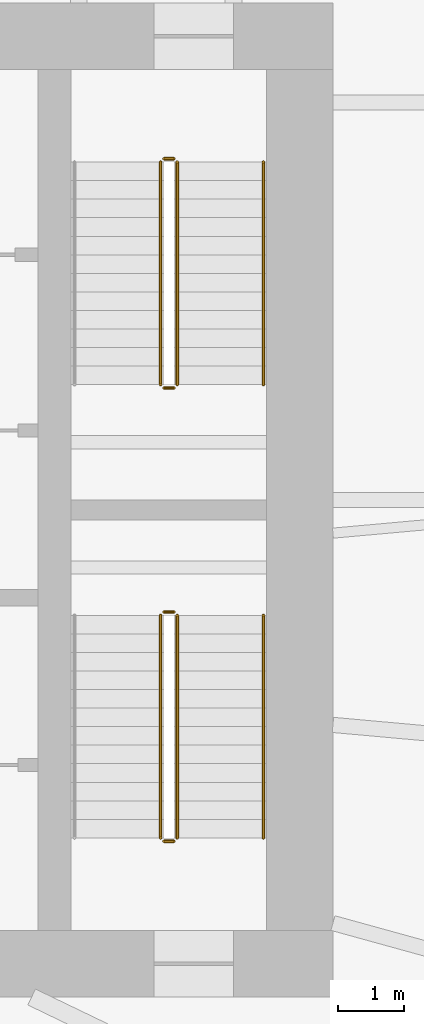
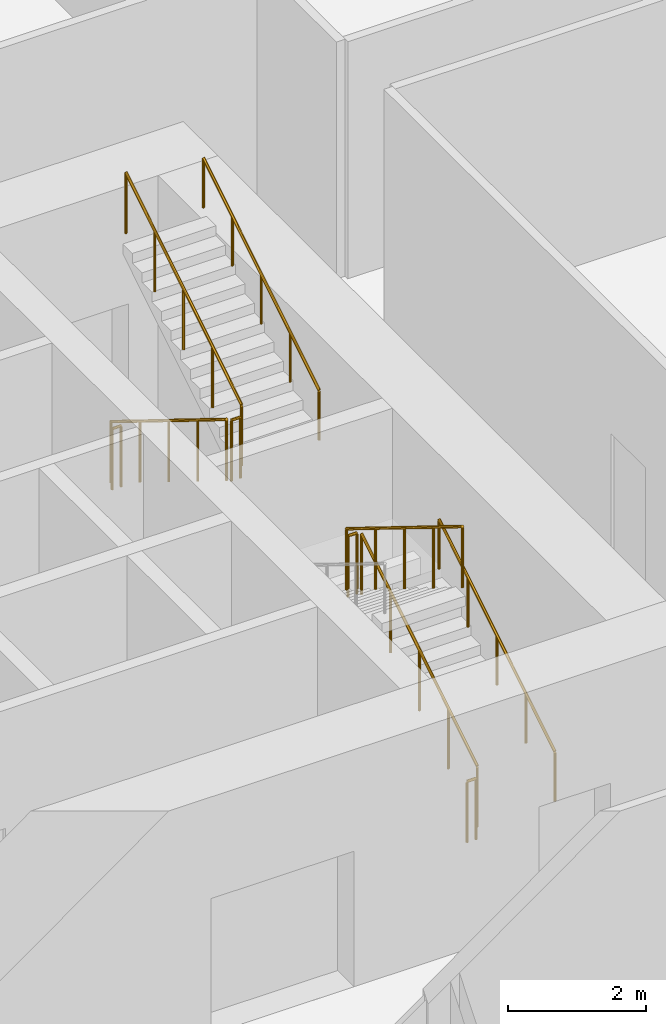
# One storey, part 32 of 33: 10 railings.
"""IFC4 building model written with IfcOpenShell, lengths in metres."""

from ifc_helpers import new_model, si_unit, direction, frame, origin, origin_2d, place, context, subcontext, project, spatial, circle, extrude, material, type_object, element, save


model = new_model("IFC4")

# Units and contexts
model_context = context("Model", 3, precision=1e-05, world=origin(), true_north=direction((0.0, 1.0)))
body_context = subcontext(model_context, "Body", "Model", "MODEL_VIEW")
ifc_project = project(units=[si_unit("LENGTHUNIT", "METRE"), si_unit("AREAUNIT", "SQUARE_METRE"), si_unit("VOLUMEUNIT", "CUBIC_METRE"), si_unit("PLANEANGLEUNIT", "RADIAN"), si_unit("MASSUNIT", "GRAM", prefix="KILO")], contexts=[model_context])

# Site, building, storey
site_placement = place(None, origin())
site = spatial("IfcSite", under=ifc_project, at=site_placement, CompositionType="ELEMENT")
building_placement = place(site_placement, origin())
building = spatial("IfcBuilding", under=site, at=building_placement, Name="Isthmus Gate Tower", CompositionType="ELEMENT")
storey_placement = place(building_placement, frame((0.0, 0.0, 22.5)))
storey = spatial("IfcBuildingStorey", under=building, at=storey_placement, Name="L03", CompositionType="ELEMENT", Elevation=22.5)

# Railings
ifc_material_1 = material(Name="Stainless steel balustrade", Category="steel")
railing_type_1 = type_object("IfcRailingType", Name="STAIR GUARD 1100", PredefinedType="GUARDRAIL", material=ifc_material_1)
railing_1_placement = place(storey_placement, frame((12.39990234375, 12.60009765625, 0.173095703125)))
element("IfcRailing", 1, at=railing_1_placement, inside=storey, type_object=railing_type_1, Name="L03 ST2 stair guard 1", PredefinedType="GUARDRAIL", context=body_context, shape_type="SweptSolid", body=[
    extrude(circle(Radius=0.02392578125, at=origin_2d()), frame((0.0, 0.0, 1.076171875), z_axis=(0.0, -0.850623216509, 0.525775754039), x_axis=(1.0, 0.0, 0.0)), (0.0, 0.0, 1.0), 3.9501953125),
    extrude(circle(Radius=0.02099609375, at=origin_2d()), origin(), (0.0, 0.0, 1.0), 1.052001953125),
    extrude(circle(Radius=0.02099609375, at=origin_2d()), frame((0.0, -0.840087890625, 0.519287109375)), (0.0, 0.0, 1.0), 1.052001953125),
    extrude(circle(Radius=0.02099609375, at=origin_2d()), frame((0.0, -1.68017578125, 1.03857421875)), (0.0, 0.0, 1.0), 1.052001953125),
    extrude(circle(Radius=0.02099609375, at=origin_2d()), frame((0.0, -2.52001953125, 1.5576171875)), (0.0, 0.0, 1.0), 1.052001953125),
    extrude(circle(Radius=0.02099609375, at=origin_2d()), frame((0.0, -3.360107421875, 2.076904296875)), (0.0, 0.0, 1.0), 1.052001953125),
])
railing_2_placement = place(storey_placement, frame((12.449951171875, 9.18994140625, 2.25)))
element("IfcRailing", 2, at=railing_2_placement, inside=storey, type_object=railing_type_1, Name="L03 ST2 stair guard 2", PredefinedType="GUARDRAIL", context=body_context, shape_type="SweptSolid", body=[
    extrude(circle(Radius=0.02392578125, at=origin_2d()), frame((0.0, 0.0, 1.076171875), z_axis=(1.0, 0.0, 0.0), x_axis=(0.0, 1.0, 0.0)), (0.0, 0.0, 1.0), 0.150146484375),
    extrude(circle(Radius=0.02099609375, at=origin_2d()), origin(), (0.0, 0.0, 1.0), 1.052001953125),
    extrude(circle(Radius=0.02099609375, at=origin_2d()), frame((0.150146484375, 0.0, 0.0)), (0.0, 0.0, 1.0), 1.052001953125),
])
railing_3_placement = place(storey_placement, frame((12.64990234375, 9.239990234375, 2.423095703125)))
element("IfcRailing", 3, at=railing_3_placement, inside=storey, type_object=railing_type_1, Name="L03 ST2 stair guard 3", PredefinedType="GUARDRAIL", context=body_context, shape_type="SweptSolid", body=[
    extrude(circle(Radius=0.02392578125, at=origin_2d()), frame((0.0, 0.0, 1.076171875), z_axis=(0.0, 0.850623216509, 0.525775754039), x_axis=(-1.0, 0.0, 0.0)), (0.0, 0.0, 1.0), 3.9501953125),
    extrude(circle(Radius=0.02099609375, at=origin_2d()), origin(), (0.0, 0.0, 1.0), 1.052001953125),
    extrude(circle(Radius=0.02099609375, at=origin_2d()), frame((0.0, 0.840087890625, 0.519287109375)), (0.0, 0.0, 1.0), 1.052001953125),
    extrude(circle(Radius=0.02099609375, at=origin_2d()), frame((0.0, 1.68017578125, 1.03857421875)), (0.0, 0.0, 1.0), 1.052001953125),
    extrude(circle(Radius=0.02099609375, at=origin_2d()), frame((0.0, 2.52001953125, 1.5576171875)), (0.0, 0.0, 1.0), 1.052001953125),
    extrude(circle(Radius=0.02099609375, at=origin_2d()), frame((0.0, 3.360107421875, 2.076904296875)), (0.0, 0.0, 1.0), 1.052001953125),
])
railing_4_placement = place(storey_placement, frame((12.449951171875, 12.64990234375, 0.0)))
element("IfcRailing", 4, at=railing_4_placement, inside=storey, type_object=railing_type_1, Name="L03 ST2 stair guard 4", PredefinedType="GUARDRAIL", context=body_context, shape_type="SweptSolid", body=[
    extrude(circle(Radius=0.02392578125, at=origin_2d()), frame((0.0, 0.0, 1.076171875), z_axis=(1.0, 0.0, 0.0), x_axis=(0.0, 1.0, 0.0)), (0.0, 0.0, 1.0), 0.150146484375),
    extrude(circle(Radius=0.02099609375, at=origin_2d()), origin(), (0.0, 0.0, 1.0), 1.052001953125),
    extrude(circle(Radius=0.02099609375, at=origin_2d()), frame((0.150146484375, 0.0, 0.0)), (0.0, 0.0, 1.0), 1.052001953125),
])
railing_5_placement = place(storey_placement, frame((12.64990234375, 2.39990234375, 0.173095703125)))
element("IfcRailing", 5, at=railing_5_placement, inside=storey, type_object=railing_type_1, Name="L03 ST8 stair guard 1", PredefinedType="GUARDRAIL", context=body_context, shape_type="SweptSolid", body=[
    extrude(circle(Radius=0.02392578125, at=origin_2d()), frame((0.0, 0.0, 1.076171875), z_axis=(0.0, 0.850623216509, 0.525775754039), x_axis=(-1.0, 0.0, 0.0)), (0.0, 0.0, 1.0), 3.9501953125),
    extrude(circle(Radius=0.02099609375, at=origin_2d()), origin(), (0.0, 0.0, 1.0), 1.052001953125),
    extrude(circle(Radius=0.02099609375, at=origin_2d()), frame((0.0, 0.840087890625, 0.519287109375)), (0.0, 0.0, 1.0), 1.052001953125),
    extrude(circle(Radius=0.02099609375, at=origin_2d()), frame((0.0, 1.68017578125, 1.03857421875)), (0.0, 0.0, 1.0), 1.052001953125),
    extrude(circle(Radius=0.02099609375, at=origin_2d()), frame((0.0, 2.52001953125, 1.5576171875)), (0.0, 0.0, 1.0), 1.052001953125),
    extrude(circle(Radius=0.02099609375, at=origin_2d()), frame((0.0, 3.360107421875, 2.076904296875)), (0.0, 0.0, 1.0), 1.052001953125),
])
railing_6_placement = place(storey_placement, frame((12.60009765625, 5.81005859375, 2.25)))
element("IfcRailing", 6, at=railing_6_placement, inside=storey, type_object=railing_type_1, Name="L03 ST8 stair guard 2", PredefinedType="GUARDRAIL", context=body_context, shape_type="SweptSolid", body=[
    extrude(circle(Radius=0.02392578125, at=origin_2d()), frame((0.0, 0.0, 1.076171875), z_axis=(-1.0, 0.0, 0.0), x_axis=(0.0, -1.0, 0.0)), (0.0, 0.0, 1.0), 0.150146484375),
    extrude(circle(Radius=0.02099609375, at=origin_2d()), origin(), (0.0, 0.0, 1.0), 1.052001953125),
    extrude(circle(Radius=0.02099609375, at=origin_2d()), frame((-0.150146484375, 0.0, 0.0)), (0.0, 0.0, 1.0), 1.052001953125),
])
railing_7_placement = place(storey_placement, frame((12.39990234375, 5.760009765625, 2.423095703125)))
element("IfcRailing", 7, at=railing_7_placement, inside=storey, type_object=railing_type_1, Name="L03 ST8 stair guard 3", PredefinedType="GUARDRAIL", context=body_context, shape_type="SweptSolid", body=[
    extrude(circle(Radius=0.02392578125, at=origin_2d()), frame((0.0, 0.0, 1.076171875), z_axis=(0.0, -0.850623216509, 0.525775754039), x_axis=(1.0, 0.0, 0.0)), (0.0, 0.0, 1.0), 3.9501953125),
    extrude(circle(Radius=0.02099609375, at=origin_2d()), origin(), (0.0, 0.0, 1.0), 1.052001953125),
    extrude(circle(Radius=0.02099609375, at=origin_2d()), frame((0.0, -0.840087890625, 0.519287109375)), (0.0, 0.0, 1.0), 1.052001953125),
    extrude(circle(Radius=0.02099609375, at=origin_2d()), frame((0.0, -1.68017578125, 1.03857421875)), (0.0, 0.0, 1.0), 1.052001953125),
    extrude(circle(Radius=0.02099609375, at=origin_2d()), frame((0.0, -2.52001953125, 1.5576171875)), (0.0, 0.0, 1.0), 1.052001953125),
    extrude(circle(Radius=0.02099609375, at=origin_2d()), frame((0.0, -3.360107421875, 2.076904296875)), (0.0, 0.0, 1.0), 1.052001953125),
])
railing_8_placement = place(storey_placement, frame((12.60009765625, 2.35009765625, 0.0)))
element("IfcRailing", 8, at=railing_8_placement, inside=storey, type_object=railing_type_1, Name="L03 ST8 stair guard 4", PredefinedType="GUARDRAIL", context=body_context, shape_type="SweptSolid", body=[
    extrude(circle(Radius=0.02392578125, at=origin_2d()), frame((0.0, 0.0, 1.076171875), z_axis=(-1.0, 0.0, 0.0), x_axis=(0.0, -1.0, 0.0)), (0.0, 0.0, 1.0), 0.150146484375),
    extrude(circle(Radius=0.02099609375, at=origin_2d()), origin(), (0.0, 0.0, 1.0), 1.052001953125),
    extrude(circle(Radius=0.02099609375, at=origin_2d()), frame((-0.150146484375, 0.0, 0.0)), (0.0, 0.0, 1.0), 1.052001953125),
])
ifc_material_2 = material(Name="Stainless steel handrail", Category="steel")
railing_type_2 = type_object("IfcRailingType", Name="STAIR HANDRAIL 900", PredefinedType="HANDRAIL", material=ifc_material_2)
for number, where, name in (
    (9, (13.949951171875, 9.239990234375, 2.423095703125), "L03 ST2 stair handrail 2"),
    (10, (13.949951171875, 2.39990234375, 0.173095703125), "L03 ST8 stair handrail 1"),
):
    element("IfcRailing", number, at=place(storey_placement, frame(where)), inside=storey, type_object=railing_type_2, Name=name, PredefinedType="HANDRAIL", context=body_context, shape_type="SweptSolid", body=[
        extrude(circle(Radius=0.02392578125, at=origin_2d()), frame((0.0, 0.0, 0.8759765625), z_axis=(0.0, 0.850623216509, 0.525775754039), x_axis=(-1.0, 0.0, 0.0)), (0.0, 0.0, 1.0), 3.9501953125),
        extrude(circle(Radius=0.02099609375, at=origin_2d()), origin(), (0.0, 0.0, 1.0), 0.851806640625),
        extrude(circle(Radius=0.02099609375, at=origin_2d()), frame((0.0, 0.840087890625, 0.519287109375)), (0.0, 0.0, 1.0), 0.851806640625),
        extrude(circle(Radius=0.02099609375, at=origin_2d()), frame((0.0, 1.68017578125, 1.03857421875)), (0.0, 0.0, 1.0), 0.851806640625),
        extrude(circle(Radius=0.02099609375, at=origin_2d()), frame((0.0, 2.52001953125, 1.5576171875)), (0.0, 0.0, 1.0), 0.851806640625),
        extrude(circle(Radius=0.02099609375, at=origin_2d()), frame((0.0, 3.360107421875, 2.076904296875)), (0.0, 0.0, 1.0), 0.851806640625),
    ])

save(model, "model.ifc")
